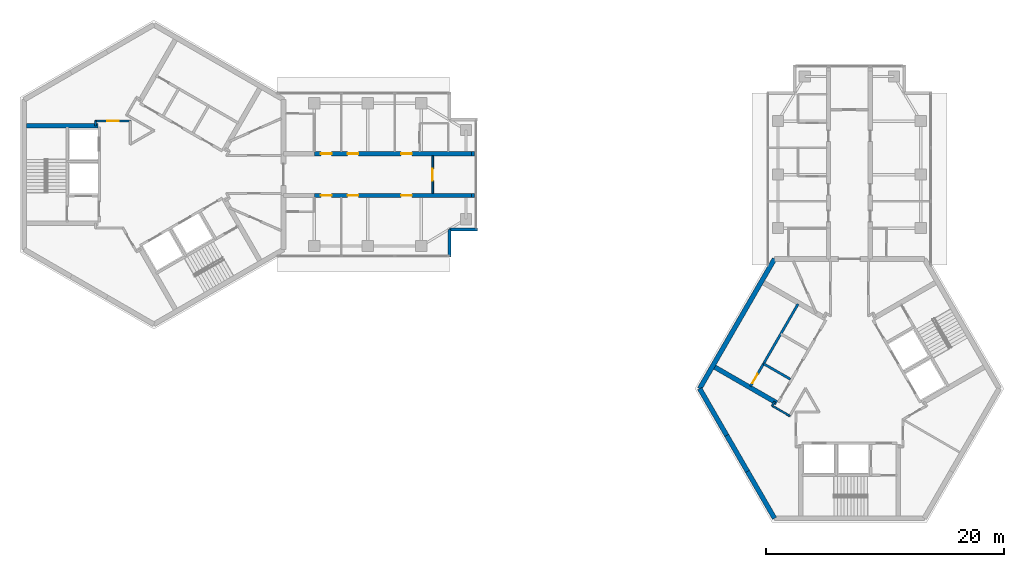
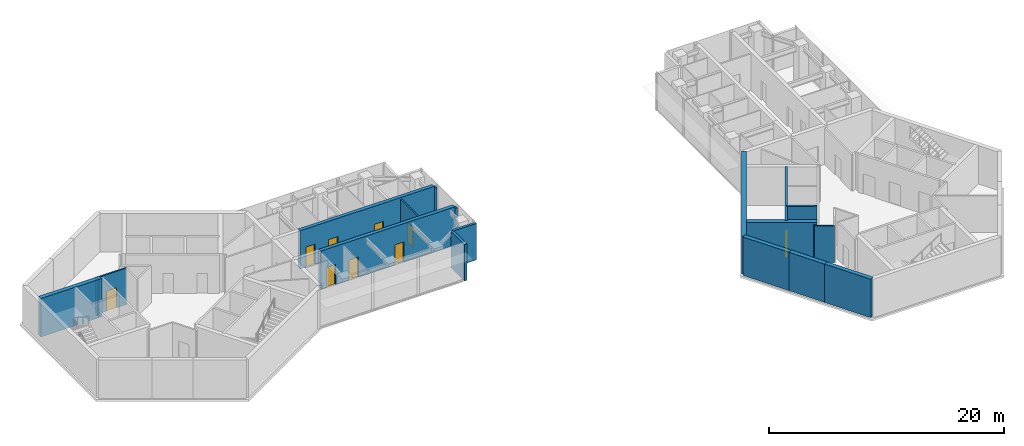
# One storey, part 6 of 11: 19 walls, 9 doors, 9 openings.
"""IFC4 building model written with IfcOpenShell, lengths in metres."""

from ifc_helpers import new_model, si_unit, direction, frame, frame_2d, origin, place, context, subcontext, project, spatial, rectangle, extrude, material, layer, layer_set, type_object, element, fill, save


model = new_model("IFC4")

# Units and contexts
model_context = context("Model", 3, precision=1e-05, world=origin(), true_north=direction((0.0, 1.0)))
body_context = subcontext(model_context, "Body", "Model", "MODEL_VIEW")
ifc_project = project(units=[si_unit("LENGTHUNIT", "METRE"), si_unit("AREAUNIT", "SQUARE_METRE"), si_unit("VOLUMEUNIT", "CUBIC_METRE"), si_unit("PLANEANGLEUNIT", "RADIAN"), si_unit("MASSUNIT", "GRAM", prefix="KILO")], contexts=[model_context])

# Site, building, storey
site_placement = place(None, origin())
site = spatial("IfcSite", under=ifc_project, at=site_placement, CompositionType="ELEMENT")
building_placement = place(site_placement, origin())
building = spatial("IfcBuilding", under=site, at=building_placement, Name="Upepo Twin Towers", CompositionType="ELEMENT")
storey_placement = place(building_placement, frame((0.0, 0.0, 275.5)))
storey = spatial("IfcBuildingStorey", under=building, at=storey_placement, Name="L67", CompositionType="ELEMENT", Elevation=275.5)

# Walls
ifc_material_1 = material(Name="Dense concrete blockwork", Category="masonry")
ifc_layer_1 = layer(ifc_material_1, 0.35009765625)
ifc_layer_set_1 = layer_set([ifc_layer_1], Name="Buttress closer 350, blockwork with fire-stopping to the curtain wall")
wall_type_1 = type_object("IfcWallType", Name="Buttress closer 350, blockwork with fire-stopping to the curtain wall", PredefinedType="PARTITIONING", material=ifc_layer_set_1)
for number, where, z_axis, x_axis, name in (
    (1, (26.699951171875, 1.75, 0.0), (0.0, 0.0, 1.0), (1.0, 0.0, 0.0), "T1 L67 wing A buttress closer L"),
    (2, (26.699951171875, -1.75, 0.0), (0.0, 0.0, 1.0), (1.0, 0.0, 0.0), "T1 L67 wing A buttress closer R"),
):
    element("IfcWall", number, at=place(storey_placement, frame(where, z_axis=z_axis, x_axis=x_axis)), inside=storey, type_object=wall_type_1, Name=name, PredefinedType="PARTITIONING", context=body_context, shape_type="SweptSolid", body=[
        extrude(rectangle(XDim=0.275146484375, YDim=0.35009765625, at=frame_2d((0.1376953125, 0.0))), origin(), (0.0, 0.0, 1.0), 3.800048828125),
    ])

# Wall, openings, doors
ifc_material_2 = material(Name="Concrete C60/75", Category="concrete")
ifc_layer_2 = layer(ifc_material_2, 0.35009765625)
ifc_layer_set_2 = layer_set([ifc_layer_2], Name="Concrete C60/75")
wall_type_2 = type_object("IfcWallType", Name="Buttress wall 350 RC", PredefinedType="SHEAR", material=ifc_layer_set_2)
wall_1_placement = place(storey_placement, frame((13.5, 1.75, 0.0), z_axis=(0.0, 0.0, 1.0), x_axis=(1.0, 0.0, 0.0)))
wall_1 = element("IfcWall", 3, at=wall_1_placement, inside=storey, type_object=wall_type_2, Name="T1 wing A buttress wall L part 2", PredefinedType="SHEAR", context=body_context, shape_type="SweptSolid", body=[
    extrude(rectangle(XDim=13.199951171875, YDim=0.35009765625, at=frame_2d((6.60009765625, 0.0))), origin(), (0.0, 0.0, 1.0), 4.0),
])
opening_1_placement = place(wall_1_placement, frame((0.550048828125, 0.0, 0.0)))
opening_1 = element("IfcOpeningElement", 4, at=opening_1_placement, cuts=wall_1, Name="Opening D11", PredefinedType="OPENING", context=body_context, shape_type="SweptSolid", body=[
    extrude(rectangle(XDim=0.89990234375, YDim=2.10009765625, at=frame_2d((0.449951171875, 1.050048828125))), frame((0.0, 0.18505859375, 0.0), z_axis=(0.0, -1.0, 0.0), x_axis=(1.0, 0.0, 0.0)), (0.0, 0.0, 1.0), 0.3701171875),
])
opening_2_placement = place(wall_1_placement, frame((2.800048828125, 0.0, 0.0)))
opening_2 = element("IfcOpeningElement", 5, at=opening_2_placement, cuts=wall_1, Name="Opening D14", PredefinedType="OPENING", context=body_context, shape_type="SweptSolid", body=[
    extrude(rectangle(XDim=0.89990234375, YDim=2.10009765625, at=frame_2d((0.449951171875, 1.050048828125))), frame((0.0, 0.18505859375, 0.0), z_axis=(0.0, -1.0, 0.0), x_axis=(1.0, 0.0, 0.0)), (0.0, 0.0, 1.0), 0.3701171875),
])
opening_3_placement = place(wall_1_placement, frame((7.300048828125, 0.0, 0.0)))
opening_3 = element("IfcOpeningElement", 6, at=opening_3_placement, cuts=wall_1, Name="Opening D14", PredefinedType="OPENING", context=body_context, shape_type="SweptSolid", body=[
    extrude(rectangle(XDim=0.89990234375, YDim=2.10009765625, at=frame_2d((0.449951171875, 1.050048828125))), frame((0.0, 0.18505859375, 0.0), z_axis=(0.0, -1.0, 0.0), x_axis=(1.0, 0.0, 0.0)), (0.0, 0.0, 1.0), 0.3701171875),
])
ifc_material_3 = material(Name="Timber doorset", Category="wood")
door_type_1 = type_object("IfcDoorType", Name="Office door 900 FD30", OperationType="SINGLE_SWING_LEFT", PredefinedType="DOOR", material=ifc_material_3)
door_1_placement = place(opening_2_placement, origin())
door_1 = element("IfcDoor", 7, at=door_1_placement, inside=storey, type_object=door_type_1, Name="T1 L67 seminar room door", OperationType="SINGLE_SWING_LEFT", OverallHeight=2.10009765625, OverallWidth=0.89990234375, PredefinedType="DOOR", context=body_context, shape_type="SweptSolid", body=[
    extrude(rectangle(XDim=0.89990234375, YDim=2.10009765625, at=frame_2d((0.449951171875, 1.050048828125))), frame((0.0, 0.02490234375, 0.0), z_axis=(0.0, -1.0, 0.0), x_axis=(1.0, 0.0, 0.0)), (0.0, 0.0, 1.0), 0.050048828125),
])
fill(opening_2, door_1)
door_2_placement = place(opening_3_placement, origin())
door_2 = element("IfcDoor", 8, at=door_2_placement, inside=storey, type_object=door_type_1, Name="T1 L67 tutorial room door", OperationType="SINGLE_SWING_RIGHT", OverallHeight=2.10009765625, OverallWidth=0.89990234375, PredefinedType="DOOR", context=body_context, shape_type="SweptSolid", body=[
    extrude(rectangle(XDim=0.89990234375, YDim=2.10009765625, at=frame_2d((0.449951171875, 1.050048828125))), frame((0.0, 0.02490234375, 0.0), z_axis=(0.0, -1.0, 0.0), x_axis=(1.0, 0.0, 0.0)), (0.0, 0.0, 1.0), 0.050048828125),
])
fill(opening_3, door_2)
ifc_material_4 = material(Name="Timber doorset", Category="wood")
door_type_2 = type_object("IfcDoorType", Name="Toilet door 900", OperationType="SINGLE_SWING_LEFT", PredefinedType="DOOR", material=ifc_material_4)
door_3_placement = place(opening_1_placement, origin())
door_3 = element("IfcDoor", 9, at=door_3_placement, inside=storey, type_object=door_type_2, Name="T1 L67 accessible wc door", OperationType="SINGLE_SWING_LEFT", OverallHeight=2.10009765625, OverallWidth=0.89990234375, PredefinedType="DOOR", context=body_context, shape_type="SweptSolid", body=[
    extrude(rectangle(XDim=0.89990234375, YDim=2.10009765625, at=frame_2d((0.449951171875, 1.050048828125))), frame((0.0, 0.02490234375, 0.0), z_axis=(0.0, -1.0, 0.0), x_axis=(1.0, 0.0, 0.0)), (0.0, 0.0, 1.0), 0.050048828125),
])
fill(opening_1, door_3)

wall_2_placement = place(storey_placement, frame((13.5, -1.75, 0.0), z_axis=(0.0, 0.0, 1.0), x_axis=(1.0, 0.0, 0.0)))
wall_2 = element("IfcWall", 10, at=wall_2_placement, inside=storey, type_object=wall_type_2, Name="T1 wing A buttress wall R part 2", PredefinedType="SHEAR", context=body_context, shape_type="SweptSolid", body=[
    extrude(rectangle(XDim=13.199951171875, YDim=0.35009765625, at=frame_2d((6.60009765625, 0.0))), origin(), (0.0, 0.0, 1.0), 4.0),
])
opening_4_placement = place(wall_2_placement, frame((0.550048828125, 0.0, 0.0)))
opening_4 = element("IfcOpeningElement", 11, at=opening_4_placement, cuts=wall_2, Name="Opening D11", PredefinedType="OPENING", context=body_context, shape_type="SweptSolid", body=[
    extrude(rectangle(XDim=0.89990234375, YDim=2.10009765625, at=frame_2d((0.449951171875, 1.050048828125))), frame((0.0, 0.18505859375, 0.0), z_axis=(0.0, -1.0, 0.0), x_axis=(1.0, 0.0, 0.0)), (0.0, 0.0, 1.0), 0.3701171875),
])
opening_5_placement = place(wall_2_placement, frame((2.800048828125, 0.0, 0.0)))
opening_5 = element("IfcOpeningElement", 12, at=opening_5_placement, cuts=wall_2, Name="Opening D14", PredefinedType="OPENING", context=body_context, shape_type="SweptSolid", body=[
    extrude(rectangle(XDim=0.89990234375, YDim=2.10009765625, at=frame_2d((0.449951171875, 1.050048828125))), frame((0.0, 0.18505859375, 0.0), z_axis=(0.0, -1.0, 0.0), x_axis=(1.0, 0.0, 0.0)), (0.0, 0.0, 1.0), 0.3701171875),
])
opening_6_placement = place(wall_2_placement, frame((7.300048828125, 0.0, 0.0)))
opening_6 = element("IfcOpeningElement", 13, at=opening_6_placement, cuts=wall_2, Name="Opening D14", PredefinedType="OPENING", context=body_context, shape_type="SweptSolid", body=[
    extrude(rectangle(XDim=0.89990234375, YDim=2.10009765625, at=frame_2d((0.449951171875, 1.050048828125))), frame((0.0, 0.18505859375, 0.0), z_axis=(0.0, -1.0, 0.0), x_axis=(1.0, 0.0, 0.0)), (0.0, 0.0, 1.0), 0.3701171875),
])
door_4_placement = place(opening_5_placement, origin())
door_4 = element("IfcDoor", 14, at=door_4_placement, inside=storey, type_object=door_type_1, Name="T1 L67 graduate seminar room door", OperationType="SINGLE_SWING_LEFT", OverallHeight=2.10009765625, OverallWidth=0.89990234375, PredefinedType="DOOR", context=body_context, shape_type="SweptSolid", body=[
    extrude(rectangle(XDim=0.89990234375, YDim=2.10009765625, at=frame_2d((0.449951171875, 1.050048828125))), frame((0.0, 0.02490234375, 0.0), z_axis=(0.0, -1.0, 0.0), x_axis=(1.0, 0.0, 0.0)), (0.0, 0.0, 1.0), 0.050048828125),
])
fill(opening_5, door_4)
door_5_placement = place(opening_6_placement, origin())
door_5 = element("IfcDoor", 15, at=door_5_placement, inside=storey, type_object=door_type_1, Name="T1 L67 graduate seminar room door", OperationType="SINGLE_SWING_RIGHT", OverallHeight=2.10009765625, OverallWidth=0.89990234375, PredefinedType="DOOR", context=body_context, shape_type="SweptSolid", body=[
    extrude(rectangle(XDim=0.89990234375, YDim=2.10009765625, at=frame_2d((0.449951171875, 1.050048828125))), frame((0.0, 0.02490234375, 0.0), z_axis=(0.0, -1.0, 0.0), x_axis=(1.0, 0.0, 0.0)), (0.0, 0.0, 1.0), 0.050048828125),
])
fill(opening_6, door_5)
door_6_placement = place(opening_4_placement, origin())
door_6 = element("IfcDoor", 16, at=door_6_placement, inside=storey, type_object=door_type_2, Name="T1 L67 toilets door", OperationType="SINGLE_SWING_LEFT", OverallHeight=2.10009765625, OverallWidth=0.89990234375, PredefinedType="DOOR", context=body_context, shape_type="SweptSolid", body=[
    extrude(rectangle(XDim=0.89990234375, YDim=2.10009765625, at=frame_2d((0.449951171875, 1.050048828125))), frame((0.0, 0.02490234375, 0.0), z_axis=(0.0, -1.0, 0.0), x_axis=(1.0, 0.0, 0.0)), (0.0, 0.0, 1.0), 0.050048828125),
])
fill(opening_4, door_6)

# Walls
ifc_material_5 = material(Name="Concrete C60/75", Category="concrete")
ifc_layer_3 = layer(ifc_material_5, 0.39990234375)
ifc_layer_set_3 = layer_set([ifc_layer_3], Name="Concrete C60/75")
wall_type_3 = type_object("IfcWallType", Name="Core wall 400 RC", PredefinedType="SHEAR", material=ifc_layer_set_3)
wall_3_placement = place(storey_placement, frame((52.2021484375, -7.091552734375, 0.0), z_axis=(0.0, 0.0, 1.0), x_axis=(-0.500005998175, -0.866021940709, 0.0)))
element("IfcWall", 17, at=wall_3_placement, inside=storey, type_object=wall_type_3, Name="T2 core wall 060", PredefinedType="SHEAR", context=body_context, shape_type="SweptSolid", body=[
    extrude(rectangle(XDim=12.595947265625, YDim=0.39990234375, at=frame_2d((6.2978515625, 0.0))), origin(), (0.0, 0.0, 1.0), 4.0),
])
wall_4_placement = place(storey_placement, frame((45.904052734375, -18.0, 0.0), z_axis=(0.0, 0.0, 1.0), x_axis=(0.500024481964, -0.866011268655, 0.0)))
element("IfcWall", 18, at=wall_4_placement, inside=storey, type_object=wall_type_3, Name="T2 core wall 120 R", PredefinedType="SHEAR", context=body_context, shape_type="SweptSolid", body=[
    extrude(rectangle(XDim=4.548095703125, YDim=0.39990234375, at=frame_2d((2.27392578125, 0.0))), origin(), (0.0, 0.0, 1.0), 4.0),
])
wall_5_placement = place(storey_placement, frame((48.17822265625, -21.938720703125, 0.0), z_axis=(0.0, 0.0, 1.0), x_axis=(0.500010275428, -0.866019471182, 0.0)))
element("IfcWall", 19, at=wall_5_placement, inside=storey, type_object=wall_type_3, Name="T2 core wall 120", PredefinedType="SHEAR", context=body_context, shape_type="SweptSolid", body=[
    extrude(rectangle(XDim=3.5, YDim=0.39990234375, at=frame_2d((1.75, 0.0))), origin(), (0.0, 0.0, 1.0), 4.0),
])
wall_6_placement = place(storey_placement, frame((49.92822265625, -24.9697265625, 0.0), z_axis=(0.0, 0.0, 1.0), x_axis=(0.499984222037, -0.866034513004, 0.0)))
element("IfcWall", 20, at=wall_6_placement, inside=storey, type_object=wall_type_3, Name="T2 core wall 120 L", PredefinedType="SHEAR", context=body_context, shape_type="SweptSolid", body=[
    extrude(rectangle(XDim=4.548095703125, YDim=0.39990234375, at=frame_2d((2.27392578125, 0.0))), origin(), (0.0, 0.0, 1.0), 4.0),
])
ifc_material_6 = material(Name="Blockwork with anodised aluminium cladding", Category="masonry")
ifc_layer_4 = layer(ifc_material_6, 0.25)
ifc_layer_set_4 = layer_set([ifc_layer_4], Name="Notch cladding wall 250, pale metal")
wall_type_4 = type_object("IfcWallType", Name="Notch cladding wall 250, pale metal", PredefinedType="STANDARD", material=ifc_layer_set_4)
for number, where, z_axis, x_axis, name in (
    (21, (24.875, -6.949951171875, 0.0), (0.0, 0.0, 1.0), (0.0, 1.0, 0.0), "T1 L67 wing A notch wall R1"),
    (22, (24.875, -4.625, 0.0), (0.0, 0.0, 1.0), (1.0, 0.0, 0.0), "T1 L67 wing A notch wall R2"),
):
    element("IfcWall", number, at=place(storey_placement, frame(where, z_axis=z_axis, x_axis=x_axis)), inside=storey, type_object=wall_type_4, Name=name, PredefinedType="STANDARD", context=body_context, shape_type="SweptSolid", body=[
        extrude(rectangle(XDim=2.324951171875, YDim=0.25, at=frame_2d((1.16259765625, 0.0))), origin(), (0.0, 0.0, 1.0), 3.800048828125),
    ])
ifc_material_7 = material(Name="Concrete C40/50", Category="concrete")
ifc_layer_5 = layer(ifc_material_7, 0.199951171875)
ifc_layer_set_5 = layer_set([ifc_layer_5], Name="Concrete C40/50")
wall_type_5 = type_object("IfcWallType", Name="Shaft wall 200 RC", PredefinedType="SHEAR", material=ifc_layer_set_5)
wall_7_placement = place(storey_placement, frame((53.52978515625, -17.208740234375, 0.0), z_axis=(0.0, 0.0, 1.0), x_axis=(-0.866062058628, 0.499936506574, 0.0)))
element("IfcWall", 23, at=wall_7_placement, inside=storey, type_object=wall_type_5, Name="T2 core W60 lobby wall", PredefinedType="SHEAR", context=body_context, shape_type="SweptSolid", body=[
    extrude(rectangle(XDim=2.599853515625, YDim=0.199951171875, at=frame_2d((1.2998046875, 0.0))), origin(), (0.0, 0.0, 1.0), 4.0),
])

# Wall, opening, door
wall_8_placement = place(storey_placement, frame((54.177978515625, -10.885986328125, 0.0), z_axis=(0.0, 0.0, 1.0), x_axis=(-0.49999894854, -0.866026010844, 0.0)))
wall_8 = element("IfcWall", 24, at=wall_8_placement, inside=storey, type_object=wall_type_5, Name="T2 core W60 stair wall", PredefinedType="SHEAR", context=body_context, shape_type="SweptSolid", body=[
    extrude(rectangle(XDim=8.0, YDim=0.199951171875, at=frame_2d((4.0, 0.0))), origin(), (0.0, 0.0, 1.0), 4.0),
])
opening_7_placement = place(wall_8_placement, frame((6.800048828125, 0.0, 0.0)))
opening_7 = element("IfcOpeningElement", 25, at=opening_7_placement, cuts=wall_8, Name="Opening D9", PredefinedType="OPENING", context=body_context, shape_type="SweptSolid", body=[
    extrude(rectangle(XDim=0.89990234375, YDim=2.10009765625, at=frame_2d((0.449951171875, 1.050048828125))), frame((0.0, 0.10986328125, 0.0), z_axis=(0.0, -1.0, 0.0), x_axis=(1.0, 0.0, 0.0)), (0.0, 0.0, 1.0), 0.219970703125),
])
ifc_material_8 = material(Name="Timber doorset", Category="wood")
door_type_3 = type_object("IfcDoorType", Name="Riser door 900 FD60", OperationType="SINGLE_SWING_LEFT", PredefinedType="DOOR", material=ifc_material_8)
door_7_placement = place(opening_7_placement, origin())
door_7 = element("IfcDoor", 26, at=door_7_placement, inside=storey, type_object=door_type_3, Name="T2 L67 riser door", OperationType="SINGLE_SWING_RIGHT", OverallHeight=2.10009765625, OverallWidth=0.89990234375, PredefinedType="DOOR", context=body_context, shape_type="SweptSolid", body=[
    extrude(rectangle(XDim=0.89990234375, YDim=2.10009765625, at=frame_2d((0.449951171875, 1.050048828125))), frame((0.0, 0.02490234375, 0.0), z_axis=(0.0, -1.0, 0.0), x_axis=(1.0, 0.0, 0.0)), (0.0, 0.0, 1.0), 0.050048828125),
])
fill(opening_7, door_7)

# Walls
ifc_material_9 = material(Name="Concrete C40/50", Category="concrete")
ifc_layer_6 = layer(ifc_material_9, 0.39990234375)
ifc_layer_set_6 = layer_set([ifc_layer_6], Name="Concrete C40/50")
wall_type_6 = type_object("IfcWallType", Name="Shaft wall 400 RC", PredefinedType="SHEAR", material=ifc_layer_set_6)
for number, where, z_axis, x_axis, name in (
    (27, (-4.699951171875, 4.10009765625, 0.0), (0.0, 0.0, 1.0), (-1.0, 0.0, 0.0), "T1 core W180 side wall S"),
    (28, (52.379638671875, -19.20068359375, 0.0), (0.0, 0.0, 1.0), (-0.866026570101, 0.499997979876, 0.0), "T2 core W60 side wall N"),
):
    element("IfcWall", number, at=place(storey_placement, frame(where, z_axis=z_axis, x_axis=x_axis)), inside=storey, type_object=wall_type_6, Name=name, PredefinedType="SHEAR", context=body_context, shape_type="SweptSolid", body=[
        extrude(rectangle(XDim=6.00830078125, YDim=0.39990234375, at=frame_2d((3.004150390625, 0.0))), origin(), (0.0, 0.0, 1.0), 4.0),
    ])
ifc_material_10 = material(Name="Gypsum board on steel studs", Category="steel")
ifc_layer_7 = layer(ifc_material_10, 0.14990234375)
ifc_layer_set_7 = layer_set([ifc_layer_7], Name="Teaching partition 150 acoustic")
wall_type_7 = type_object("IfcWallType", Name="Teaching partition 150 acoustic", PredefinedType="PARTITIONING", material=ifc_layer_set_7)
wall_9_placement = place(storey_placement, frame((-4.89990234375, 4.090087890625, 0.0), z_axis=(0.0, 0.0, 1.0), x_axis=(0.0, 1.0, 0.0)))
element("IfcWall", 29, at=wall_9_placement, inside=storey, type_object=wall_type_7, Name="T1 core room partition 6", PredefinedType="PARTITIONING", context=body_context, shape_type="SweptSolid", body=[
    extrude(rectangle(XDim=0.429931640625, YDim=0.14990234375, at=frame_2d((0.21484375, 0.0))), origin(), (0.0, 0.0, 1.0), 3.800048828125),
])

# Wall, opening, door
wall_10_placement = place(storey_placement, frame((-4.919921875, 4.5, 0.0), z_axis=(0.0, 0.0, 1.0), x_axis=(1.0, 0.0, 0.0)))
wall_10 = element("IfcWall", 30, at=wall_10_placement, inside=storey, type_object=wall_type_7, Name="T1 core room partition 7", PredefinedType="PARTITIONING", context=body_context, shape_type="SweptSolid", body=[
    extrude(rectangle(XDim=2.96484375, YDim=0.14990234375, at=frame_2d((1.482421875, 0.0))), origin(), (0.0, 0.0, 1.0), 3.800048828125),
])
opening_8_placement = place(wall_10_placement, frame((0.982421875, 0.0, 0.0)))
opening_8 = element("IfcOpeningElement", 31, at=opening_8_placement, cuts=wall_10, Name="Opening D1", PredefinedType="OPENING", context=body_context, shape_type="SweptSolid", body=[
    extrude(rectangle(XDim=1.0, YDim=2.10009765625, at=frame_2d((0.5, 1.050048828125))), frame((0.0, 0.0849609375, 0.0), z_axis=(0.0, -1.0, 0.0), x_axis=(1.0, 0.0, 0.0)), (0.0, 0.0, 1.0), 0.169921875),
])
ifc_material_11 = material(Name="Timber doorset", Category="wood")
door_type_4 = type_object("IfcDoorType", Name="Room door 1000 FD30", OperationType="SINGLE_SWING_LEFT", PredefinedType="DOOR", material=ifc_material_11)
door_8_placement = place(opening_8_placement, origin())
door_8 = element("IfcDoor", 32, at=door_8_placement, inside=storey, type_object=door_type_4, Name="T1 L67 core room door K6", OperationType="SINGLE_SWING_RIGHT", OverallHeight=2.10009765625, OverallWidth=1.0, PredefinedType="DOOR", context=body_context, shape_type="SweptSolid", body=[
    extrude(rectangle(XDim=1.0, YDim=2.10009765625, at=frame_2d((0.5, 1.050048828125))), frame((0.0, 0.02490234375, 0.0), z_axis=(0.0, -1.0, 0.0), x_axis=(1.0, 0.0, 0.0)), (0.0, 0.0, 1.0), 0.050048828125),
])
fill(opening_8, door_8)

wall_11_placement = place(storey_placement, frame((23.449951171875, -1.574951171875, 0.0), z_axis=(0.0, 0.0, 1.0), x_axis=(0.0, 1.0, 0.0)))
wall_11 = element("IfcWall", 33, at=wall_11_placement, inside=storey, type_object=wall_type_7, Name="T1 corridor end partition A at 23.45", PredefinedType="PARTITIONING", context=body_context, shape_type="SweptSolid", body=[
    extrude(rectangle(XDim=3.14990234375, YDim=0.14990234375, at=frame_2d((1.574951171875, 0.0))), origin(), (0.0, 0.0, 1.0), 3.800048828125),
])
opening_9_placement = place(wall_11_placement, frame((1.074951171875, 0.0, 0.0)))
opening_9 = element("IfcOpeningElement", 34, at=opening_9_placement, cuts=wall_11, Name="Opening D1", PredefinedType="OPENING", context=body_context, shape_type="SweptSolid", body=[
    extrude(rectangle(XDim=1.0, YDim=2.10009765625, at=frame_2d((0.5, 1.050048828125))), frame((0.0, 0.0849609375, 0.0), z_axis=(0.0, -1.0, 0.0), x_axis=(1.0, 0.0, 0.0)), (0.0, 0.0, 1.0), 0.169921875),
])
door_9_placement = place(opening_9_placement, origin())
door_9 = element("IfcDoor", 35, at=door_9_placement, inside=storey, type_object=door_type_4, Name="T1 L67 breakout study room door", OperationType="SINGLE_SWING_LEFT", OverallHeight=2.10009765625, OverallWidth=1.0, PredefinedType="DOOR", context=body_context, shape_type="SweptSolid", body=[
    extrude(rectangle(XDim=1.0, YDim=2.10009765625, at=frame_2d((0.5, 1.050048828125))), frame((0.0, 0.02490234375, 0.0), z_axis=(0.0, -1.0, 0.0), x_axis=(1.0, 0.0, 0.0)), (0.0, 0.0, 1.0), 0.050048828125),
])
fill(opening_9, door_9)

# Walls
wall_12_placement = place(storey_placement, frame((53.49609375, -20.30712890625, 0.0), z_axis=(0.0, 0.0, 1.0), x_axis=(-0.865989304205, 0.500062521093, 0.0)))
element("IfcWall", 36, at=wall_12_placement, inside=storey, type_object=wall_type_7, Name="T2 core room partition 7", PredefinedType="PARTITIONING", context=body_context, shape_type="SweptSolid", body=[
    extrude(rectangle(XDim=1.739990234375, YDim=0.14990234375, at=frame_2d((0.8701171875, 0.0))), origin(), (0.0, 0.0, 1.0), 3.800048828125),
])
wall_13_placement = place(storey_placement, frame((51.99658203125, -19.46435546875, 0.0), z_axis=(0.0, 0.0, 1.0), x_axis=(0.499804398801, 0.866138304741, 0.0)))
element("IfcWall", 37, at=wall_13_placement, inside=storey, type_object=wall_type_7, Name="T2 core room partition 8", PredefinedType="PARTITIONING", context=body_context, shape_type="SweptSolid", body=[
    extrude(rectangle(XDim=0.429931640625, YDim=0.14990234375, at=frame_2d((0.21484375, 0.0))), origin(), (0.0, 0.0, 1.0), 3.800048828125),
])

save(model, "model.ifc")
